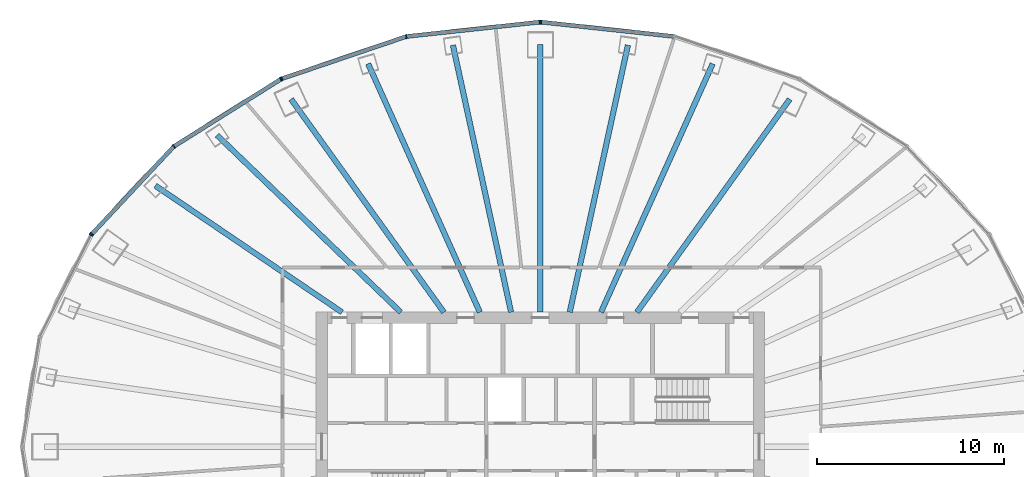
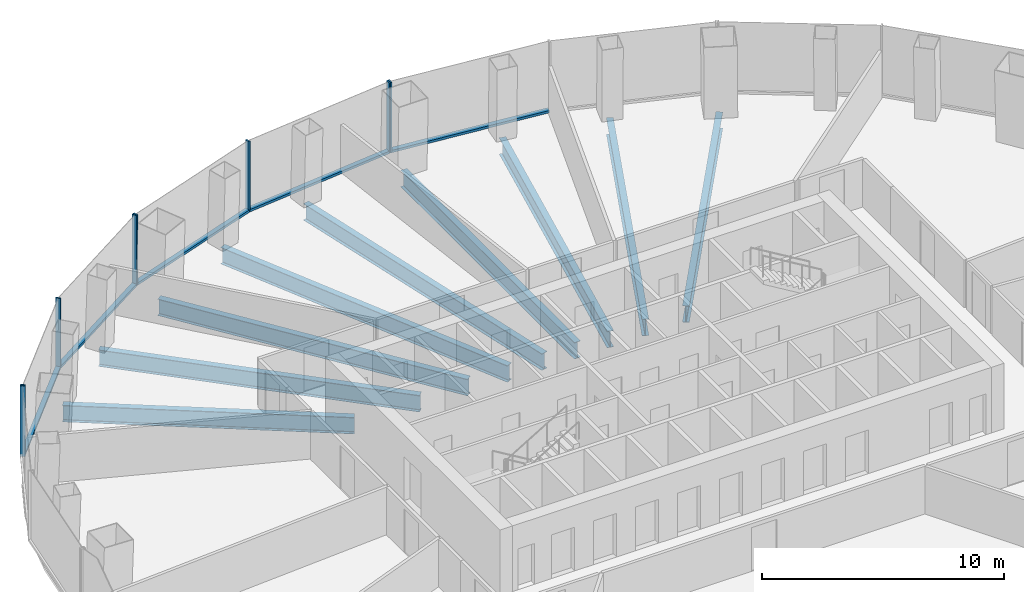
# One storey, part 5 of 11: 13 members, 9 beams, 4 elements without a shape of their own.
"""IFC4 building model written with IfcOpenShell, lengths in metres."""

from ifc_helpers import new_model, si_unit, direction, frame, origin, origin_2d, place, context, subcontext, project, spatial, rectangle, i_section, extrude, material, layer, layer_set, material_profile, profile_set, type_object, element, aggregate, save


model = new_model("IFC4")

# Units and contexts
model_context = context("Model", 3, precision=1e-05, world=origin(), true_north=direction((0.0, 1.0)))
body_context = subcontext(model_context, "Body", "Model", "MODEL_VIEW")
ifc_project = project(units=[si_unit("LENGTHUNIT", "METRE"), si_unit("AREAUNIT", "SQUARE_METRE"), si_unit("VOLUMEUNIT", "CUBIC_METRE"), si_unit("PLANEANGLEUNIT", "RADIAN"), si_unit("MASSUNIT", "GRAM", prefix="KILO")], contexts=[model_context])

# Site, building, storey
site_placement = place(None, origin())
site = spatial("IfcSite", under=ifc_project, at=site_placement, CompositionType="ELEMENT")
building_placement = place(site_placement, origin())
building = spatial("IfcBuilding", under=site, at=building_placement, Name="Siaravel Broadcast Tower", CompositionType="ELEMENT")
storey_placement = place(building_placement, frame((0.0, 0.0, 55.60009765625)))
storey = spatial("IfcBuildingStorey", under=building, at=storey_placement, Name="L12", CompositionType="ELEMENT", Elevation=55.60009765625)

# Beams
ifc_material_1 = material(Name="Steel S355", Category="steel")
ifc_material_profile_1 = material_profile(ifc_material_1, i_section(OverallWidth=0.291748046875, OverallDepth=0.8349609375, WebThickness=0.013916015625, FlangeThickness=0.018798828125, FilletRadius=0.017822265625, at=origin_2d()))
ifc_profile_set_1 = profile_set([ifc_material_profile_1], Name="Steel S355")
beam_type = type_object("IfcBeamType", Name="BM-UB 838x292x176", PredefinedType="BEAM", material=ifc_profile_set_1)
beam_1_placement = place(storey_placement, frame((13.338623046875, 18.596923828125, -0.5673828125), z_axis=(-0.582824427, -0.812598109, 0.0), x_axis=(0.812598109, -0.582824427, 0.0)))
element("IfcBeam", 1, at=beam_1_placement, inside=storey, type_object=beam_type, Name="Radial beam RB07", PredefinedType="BEAM", context=body_context, shape_type="SweptSolid", body=[
    extrude(i_section(OverallWidth=0.291748046875, OverallDepth=0.8349609375, WebThickness=0.013916015625, FlangeThickness=0.018798828125, FilletRadius=0.017822265625, at=origin_2d()), origin(), (0.0, 0.0, 1.0), 14.025390625),
])
beam_2_placement = place(storey_placement, frame((9.21728515625, 20.4912109375, -0.5673828125), z_axis=(-0.410219095, -0.911987003, 0.0), x_axis=(0.911987003, -0.410219095, 0.0)))
element("IfcBeam", 2, at=beam_2_placement, inside=storey, type_object=beam_type, Name="Radial beam RB08", PredefinedType="BEAM", context=body_context, shape_type="SweptSolid", body=[
    extrude(i_section(OverallWidth=0.291748046875, OverallDepth=0.8349609375, WebThickness=0.013916015625, FlangeThickness=0.018798828125, FilletRadius=0.017822265625, at=origin_2d()), origin(), (0.0, 0.0, 1.0), 14.573974609375),
])
beam_3_placement = place(storey_placement, frame((4.681396484375, 21.48681640625, -0.5673828125), z_axis=(-0.212883659, -0.977077555, 0.0), x_axis=(0.977077555, -0.212883659, 0.0)))
element("IfcBeam", 3, at=beam_3_placement, inside=storey, type_object=beam_type, Name="Radial beam RB09", PredefinedType="BEAM", context=body_context, shape_type="SweptSolid", body=[
    extrude(i_section(OverallWidth=0.291748046875, OverallDepth=0.8349609375, WebThickness=0.013916015625, FlangeThickness=0.018798828125, FilletRadius=0.017822265625, at=origin_2d()), origin(), (0.0, 0.0, 1.0), 14.6220703125),
])
beam_4_placement = place(storey_placement, frame((0.0, 21.522216796875, -0.5673828125), z_axis=(0.0, -1.0, 0.0), x_axis=(1.0, 0.0, 0.0)))
element("IfcBeam", 4, at=beam_4_placement, inside=storey, type_object=beam_type, Name="Radial beam RB10", PredefinedType="BEAM", context=body_context, shape_type="SweptSolid", body=[
    extrude(i_section(OverallWidth=0.291748046875, OverallDepth=0.8349609375, WebThickness=0.013916015625, FlangeThickness=0.018798828125, FilletRadius=0.017822265625, at=origin_2d()), origin(), (0.0, 0.0, 1.0), 14.322265625),
])
beam_5_placement = place(storey_placement, frame((-4.681396484375, 21.48681640625, -0.5673828125), z_axis=(0.212883659, -0.977077555, 0.0), x_axis=(0.977077555, 0.212883659, 0.0)))
element("IfcBeam", 5, at=beam_5_placement, inside=storey, type_object=beam_type, Name="Radial beam RB11", PredefinedType="BEAM", context=body_context, shape_type="SweptSolid", body=[
    extrude(i_section(OverallWidth=0.291748046875, OverallDepth=0.8349609375, WebThickness=0.013916015625, FlangeThickness=0.018798828125, FilletRadius=0.017822265625, at=origin_2d()), origin(), (0.0, 0.0, 1.0), 14.6220703125),
])
beam_6_placement = place(storey_placement, frame((-9.21728515625, 20.4912109375, -0.5673828125), z_axis=(0.410219095, -0.911987003, 0.0), x_axis=(0.911987003, 0.410219095, 0.0)))
element("IfcBeam", 6, at=beam_6_placement, inside=storey, type_object=beam_type, Name="Radial beam RB12", PredefinedType="BEAM", context=body_context, shape_type="SweptSolid", body=[
    extrude(i_section(OverallWidth=0.291748046875, OverallDepth=0.8349609375, WebThickness=0.013916015625, FlangeThickness=0.018798828125, FilletRadius=0.017822265625, at=origin_2d()), origin(), (0.0, 0.0, 1.0), 14.573974609375),
])
beam_7_placement = place(storey_placement, frame((-13.338623046875, 18.596923828125, -0.5673828125), z_axis=(0.582824427, -0.812598109, 0.0), x_axis=(0.812598109, 0.582824427, 0.0)))
element("IfcBeam", 7, at=beam_7_placement, inside=storey, type_object=beam_type, Name="Radial beam RB13", PredefinedType="BEAM", context=body_context, shape_type="SweptSolid", body=[
    extrude(i_section(OverallWidth=0.291748046875, OverallDepth=0.8349609375, WebThickness=0.013916015625, FlangeThickness=0.018798828125, FilletRadius=0.017822265625, at=origin_2d()), origin(), (0.0, 0.0, 1.0), 14.025390625),
])
beam_8_placement = place(storey_placement, frame((-17.29931640625, 16.67041015625, -0.5673828125), z_axis=(0.720070904, -0.693900493, 0.0), x_axis=(0.693900493, 0.720070904, 0.0)))
element("IfcBeam", 8, at=beam_8_placement, inside=storey, type_object=beam_type, Name="Radial beam RB14", PredefinedType="BEAM", context=body_context, shape_type="SweptSolid", body=[
    extrude(i_section(OverallWidth=0.291748046875, OverallDepth=0.8349609375, WebThickness=0.013916015625, FlangeThickness=0.018798828125, FilletRadius=0.017822265625, at=origin_2d()), origin(), (0.0, 0.0, 1.0), 13.648193359375),
])
beam_9_placement = place(storey_placement, frame((-20.59765625, 13.96875, -0.5673828125), z_axis=(0.8276296, -0.561274661, 0.0), x_axis=(0.561274661, 0.8276296, 0.0)))
element("IfcBeam", 9, at=beam_9_placement, inside=storey, type_object=beam_type, Name="Radial beam RB15", PredefinedType="BEAM", context=body_context, shape_type="SweptSolid", body=[
    extrude(i_section(OverallWidth=0.291748046875, OverallDepth=0.8349609375, WebThickness=0.013916015625, FlangeThickness=0.018798828125, FilletRadius=0.017822265625, at=origin_2d()), origin(), (0.0, 0.0, 1.0), 12.0595703125),
])

# Curtain wall, member
ifc_material_2 = material(Name="Aluminium 6063-T6", Category="aluminium")
ifc_layer = layer(ifc_material_2, 0.219970703125)
ifc_layer_set = layer_set([ifc_layer], Name="Aluminium 6063-T6")
curtain_wall_type = type_object("IfcCurtainWallType", Name="Unitised curtain wall, zone 1", PredefinedType="NOTDEFINED", material=ifc_layer_set)
curtain_wall_1_placement = place(storey_placement, origin())
curtain_wall_1 = element("IfcCurtainWall", 10, at=curtain_wall_1_placement, inside=storey, type_object=curtain_wall_type, Name="L12 Unitised curtain wall, zone 1 03", PredefinedType="NOTDEFINED")
ifc_material_profile_2 = material_profile(ifc_material_2, rectangle(XDim=0.219970703125, YDim=0.070068359375, at=origin_2d()))
ifc_profile_set_2 = profile_set([ifc_material_profile_2], Name="Aluminium 6063-T6")
member_type_1 = type_object("IfcMemberType", Name="CW-Z1 mullion", PredefinedType="MULLION", material=ifc_profile_set_2)
member_1_placement = place(storey_placement, frame((0.034912109375, 22.720703125, 0.0), z_axis=(0.0, 0.0, 1.0), x_axis=(-0.107217536, -0.994235586, 0.0)))
member_1 = element("IfcMember", 11, at=member_1_placement, type_object=member_type_1, Name="CW-Z1 mullion 3", PredefinedType="MULLION", context=body_context, shape_type="SweptSolid", body=[
    extrude(rectangle(XDim=0.219970703125, YDim=0.070068359375, at=origin_2d()), origin(), (0.0, 0.0, 1.0), 3.5498046875),
])

# Curtain wall, members
curtain_wall_2_placement = place(storey_placement, origin())
curtain_wall_2 = element("IfcCurtainWall", 12, at=curtain_wall_2_placement, inside=storey, type_object=curtain_wall_type, Name="L12 Unitised curtain wall, zone 1 04", PredefinedType="NOTDEFINED")
member_2_placement = place(storey_placement, frame((-0.034912109375, 22.720703125, 0.0), z_axis=(0.0, 0.0, 1.0), x_axis=(0.107217536, -0.994235586, 0.0)))
member_2 = element("IfcMember", 13, at=member_2_placement, type_object=member_type_1, Name="CW-Z1 mullion 1", PredefinedType="MULLION", context=body_context, shape_type="SweptSolid", body=[
    extrude(rectangle(XDim=0.219970703125, YDim=0.070068359375, at=origin_2d()), origin(), (0.0, 0.0, 1.0), 3.5498046875),
])
member_3_placement = place(storey_placement, frame((-7.17529296875, 21.95068359375, 0.0), z_axis=(0.0, 0.0, 1.0), x_axis=(0.215558136, -0.976491009, 0.0)))
member_3 = element("IfcMember", 14, at=member_3_placement, type_object=member_type_1, Name="CW-Z1 mullion 2", PredefinedType="MULLION", context=body_context, shape_type="SweptSolid", body=[
    extrude(rectangle(XDim=0.219970703125, YDim=0.070068359375, at=origin_2d()), origin(), (0.0, 0.0, 1.0), 3.5498046875),
])
member_4_placement = place(storey_placement, frame((-13.8291015625, 19.693115234375, 0.0), z_axis=(0.0, 0.0, 1.0), x_axis=(0.321300709, -0.94697722, 0.0)))
member_4 = element("IfcMember", 15, at=member_4_placement, type_object=member_type_1, Name="CW-Z1 mullion 3", PredefinedType="MULLION", context=body_context, shape_type="SweptSolid", body=[
    extrude(rectangle(XDim=0.219970703125, YDim=0.070068359375, at=origin_2d()), origin(), (0.0, 0.0, 1.0), 3.5498046875),
])

curtain_wall_3_placement = place(storey_placement, origin())
curtain_wall_3 = element("IfcCurtainWall", 16, at=curtain_wall_3_placement, inside=storey, type_object=curtain_wall_type, Name="L12 Unitised curtain wall, zone 1 05", PredefinedType="NOTDEFINED")
member_5_placement = place(storey_placement, frame((-13.89208984375, 19.663330078125, 0.0), z_axis=(0.0, 0.0, 1.0), x_axis=(0.532149214, -0.846650586, 0.0)))
member_5 = element("IfcMember", 17, at=member_5_placement, type_object=member_type_1, Name="CW-Z1 mullion 1", PredefinedType="MULLION", context=body_context, shape_type="SweptSolid", body=[
    extrude(rectangle(XDim=0.219970703125, YDim=0.070068359375, at=origin_2d()), origin(), (0.0, 0.0, 1.0), 3.5498046875),
])
member_6_placement = place(storey_placement, frame((-19.605712890625, 16.072021484375, 0.0), z_axis=(0.0, 0.0, 1.0), x_axis=(0.636218527, -0.771508902, 0.0)))
member_6 = element("IfcMember", 18, at=member_6_placement, type_object=member_type_1, Name="CW-Z1 mullion 2", PredefinedType="MULLION", context=body_context, shape_type="SweptSolid", body=[
    extrude(rectangle(XDim=0.219970703125, YDim=0.070068359375, at=origin_2d()), origin(), (0.0, 0.0, 1.0), 3.5498046875),
])
member_7_placement = place(storey_placement, frame((-23.990234375, 11.3916015625, 0.0), z_axis=(0.0, 0.0, 1.0), x_axis=(0.729805061, -0.683655302, 0.0)))
member_7 = element("IfcMember", 19, at=member_7_placement, type_object=member_type_1, Name="CW-Z1 mullion 3", PredefinedType="MULLION", context=body_context, shape_type="SweptSolid", body=[
    extrude(rectangle(XDim=0.219970703125, YDim=0.070068359375, at=origin_2d()), origin(), (0.0, 0.0, 1.0), 3.5498046875),
])

# Curtain wall, member
curtain_wall_4_placement = place(storey_placement, origin())
curtain_wall_4 = element("IfcCurtainWall", 20, at=curtain_wall_4_placement, inside=storey, type_object=curtain_wall_type, Name="L12 Unitised curtain wall, zone 1 06", PredefinedType="NOTDEFINED")
member_8_placement = place(storey_placement, frame((-24.02978515625, 11.3349609375, 0.0), z_axis=(0.0, 0.0, 1.0), x_axis=(0.892391886, -0.451261257, 0.0)))
member_8 = element("IfcMember", 21, at=member_8_placement, type_object=member_type_1, Name="CW-Z1 mullion 1", PredefinedType="MULLION", context=body_context, shape_type="SweptSolid", body=[
    extrude(rectangle(XDim=0.219970703125, YDim=0.070068359375, at=origin_2d()), origin(), (0.0, 0.0, 1.0), 3.5498046875),
])
aggregate(curtain_wall_4, [member_8])

# Member
ifc_material_profile_3 = material_profile(ifc_material_2, rectangle(XDim=0.219970703125, YDim=0.1201171875, at=origin_2d()))
ifc_profile_set_3 = profile_set([ifc_material_profile_3], Name="Aluminium 6063-T6")
member_type_2 = type_object("IfcMemberType", Name="CW-Z1 transom", PredefinedType="USERDEFINED", material=ifc_profile_set_3)
member_9_placement = place(storey_placement, frame((7.140380859375, 21.95458984375, 0.059814453125), z_axis=(-0.994236456, 0.107209463, 0.0), x_axis=(-0.107209463, -0.994236456, 0.0)))
member_9 = element("IfcMember", 22, at=member_9_placement, type_object=member_type_2, Name="CW-Z1 transom 2", ObjectType="TRANSOM", PredefinedType="USERDEFINED", context=body_context, shape_type="SweptSolid", body=[
    extrude(rectangle(XDim=0.219970703125, YDim=0.1201171875, at=origin_2d()), origin(), (0.0, 0.0, 1.0), 7.11181640625),
])

aggregate(curtain_wall_1, [member_1, member_9])

member_10_placement = place(storey_placement, frame((-0.069580078125, 22.717041015625, 0.059814453125), z_axis=(-0.994236456, -0.107209463, 0.0), x_axis=(0.107209463, -0.994236456, 0.0)))
member_10 = element("IfcMember", 23, at=member_10_placement, type_object=member_type_2, Name="CW-Z1 transom 1", ObjectType="TRANSOM", PredefinedType="USERDEFINED", context=body_context, shape_type="SweptSolid", body=[
    extrude(rectangle(XDim=0.219970703125, YDim=0.1201171875, at=origin_2d()), origin(), (0.0, 0.0, 1.0), 7.11181640625),
])

member_11_placement = place(storey_placement, frame((-7.20849609375, 21.939697265625, 0.059814453125), z_axis=(-0.946974505, -0.321308709, 0.0), x_axis=(0.321308709, -0.946974505, 0.0)))
member_11 = element("IfcMember", 24, at=member_11_placement, type_object=member_type_2, Name="CW-Z1 transom 2", ObjectType="TRANSOM", PredefinedType="USERDEFINED", context=body_context, shape_type="SweptSolid", body=[
    extrude(rectangle(XDim=0.219970703125, YDim=0.1201171875, at=origin_2d()), origin(), (0.0, 0.0, 1.0), 6.956298828125),
])

aggregate(curtain_wall_2, [member_2, member_3, member_4, member_10, member_11])

member_12_placement = place(storey_placement, frame((-13.921630859375, 19.644775390625, 0.059814453125), z_axis=(-0.846658666, -0.532136358, 0.0), x_axis=(0.532136358, -0.846658666, 0.0)))
member_12 = element("IfcMember", 25, at=member_12_placement, type_object=member_type_2, Name="CW-Z1 transom 1", ObjectType="TRANSOM", PredefinedType="USERDEFINED", context=body_context, shape_type="SweptSolid", body=[
    extrude(rectangle(XDim=0.219970703125, YDim=0.1201171875, at=origin_2d()), origin(), (0.0, 0.0, 1.0), 6.6787109375),
])

member_13_placement = place(storey_placement, frame((-19.629638671875, 16.04638671875, 0.059814453125), z_axis=(-0.683676063, -0.729785613, 0.0), x_axis=(0.729785613, -0.683676063, 0.0)))
member_13 = element("IfcMember", 26, at=member_13_placement, type_object=member_type_2, Name="CW-Z1 transom 2", ObjectType="TRANSOM", PredefinedType="USERDEFINED", context=body_context, shape_type="SweptSolid", body=[
    extrude(rectangle(XDim=0.219970703125, YDim=0.1201171875, at=origin_2d()), origin(), (0.0, 0.0, 1.0), 6.34326171875),
])

aggregate(curtain_wall_3, [member_5, member_6, member_7, member_12, member_13])

save(model, "model.ifc")
